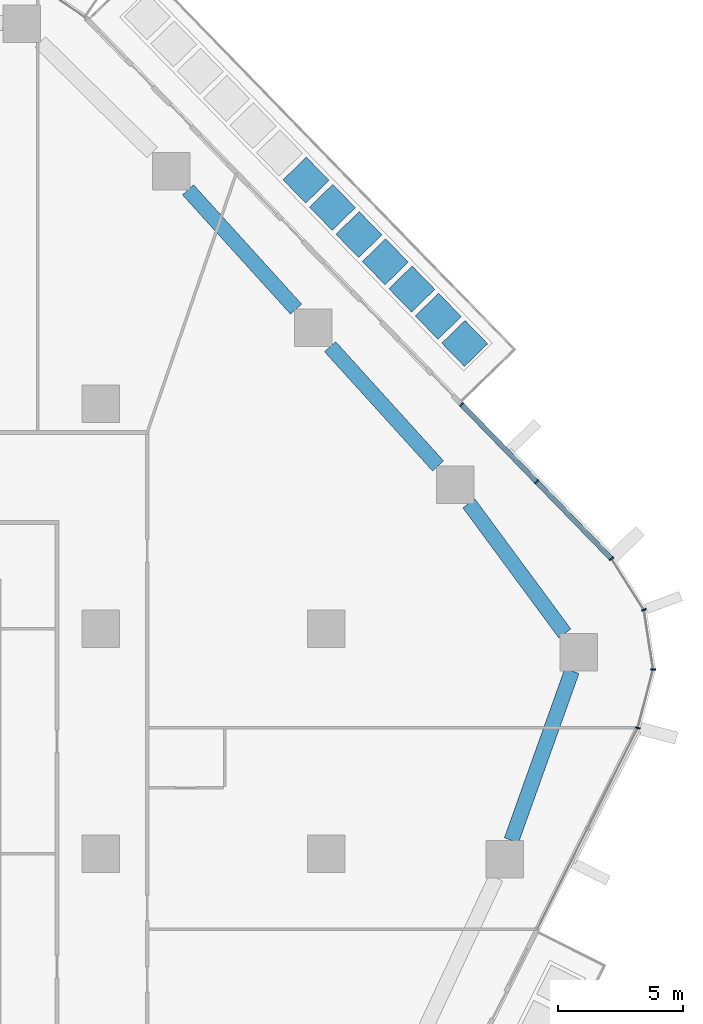
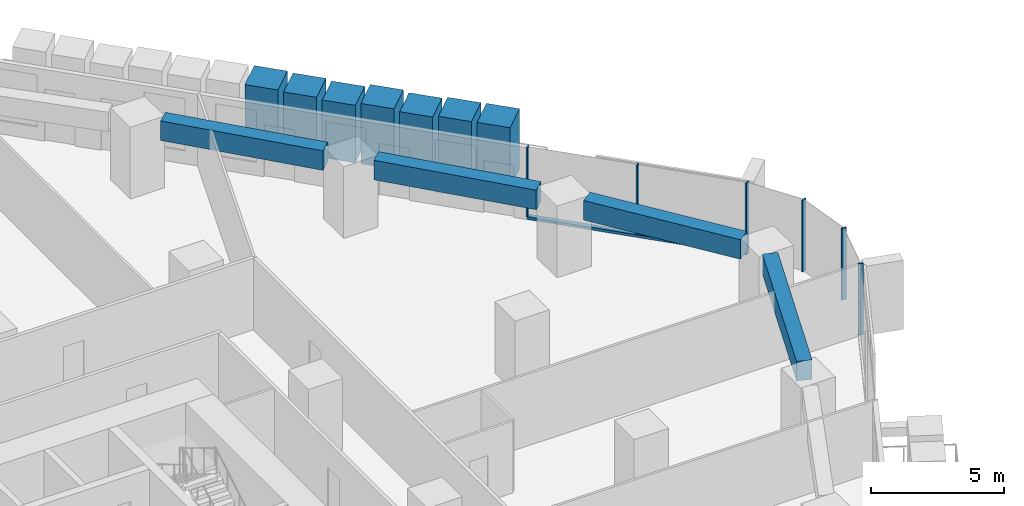
# One storey, part 8 of 26: 14 members, 4 beams, 2 elements without a shape of their own.
"""IFC4 building model written with IfcOpenShell, lengths in metres."""

from ifc_helpers import new_model, si_unit, direction, frame, origin, origin_2d, place, context, subcontext, project, spatial, rectangle, extrude, material, layer, layer_set, material_profile, profile_set, type_object, element, aggregate, save


model = new_model("IFC4")

# Units and contexts
model_context = context("Model", 3, precision=1e-05, world=origin(), true_north=direction((0.0, 1.0)))
body_context = subcontext(model_context, "Body", "Model", "MODEL_VIEW")
ifc_project = project(units=[si_unit("LENGTHUNIT", "METRE"), si_unit("AREAUNIT", "SQUARE_METRE"), si_unit("VOLUMEUNIT", "CUBIC_METRE"), si_unit("PLANEANGLEUNIT", "RADIAN"), si_unit("MASSUNIT", "GRAM", prefix="KILO")], contexts=[model_context])

# Site, building, storey
site_placement = place(None, origin())
site = spatial("IfcSite", under=ifc_project, at=site_placement, CompositionType="ELEMENT")
building_placement = place(site_placement, origin())
building = spatial("IfcBuilding", under=site, at=building_placement, Name="Dongbaek Canopy Tower", CompositionType="ELEMENT")
storey_placement = place(building_placement, frame((0.0, 0.0, 69.89990234375)))
storey = spatial("IfcBuildingStorey", under=building, at=storey_placement, Name="L13", CompositionType="ELEMENT", Elevation=69.89990234375)

# Curtain wall, members
ifc_material_1 = material(Name="Aluminium 6063-T6 pale anodised", Category="aluminium")
ifc_layer = layer(ifc_material_1, 0.199951171875)
ifc_layer_set = layer_set([ifc_layer], Name="CW-1 unitised tower curtain wall")
curtain_wall_type = type_object("IfcCurtainWallType", Name="CW-1 unitised tower curtain wall", PredefinedType="NOTDEFINED", material=ifc_layer_set)
curtain_wall_1_placement = place(storey_placement, origin())
curtain_wall_1 = element("IfcCurtainWall", 1, at=curtain_wall_1_placement, inside=storey, type_object=curtain_wall_type, Name="CW-1 curtain wall K0.1", PredefinedType="NOTDEFINED")
ifc_material_2 = material(Name="Aluminium 6063-T6 pale anodised", Category="aluminium")
ifc_material_profile_1 = material_profile(ifc_material_2, rectangle(XDim=0.199951171875, YDim=0.06005859375, at=origin_2d()), Name="CW-1 mullion 60 x 200")
ifc_profile_set_1 = profile_set([ifc_material_profile_1], Name="Aluminium 6063-T6 pale anodised")
member_type_1 = type_object("IfcMemberType", Name="CW-1 mullion 60 x 200", PredefinedType="MULLION", material=ifc_profile_set_1)
member_1_placement = place(storey_placement, frame((39.460693359375, 5.0390625, 0.0), z_axis=(0.0, 0.0, 1.0), x_axis=(0.967124445532, -0.254303572242, 0.0)))
member_1 = element("IfcMember", 2, at=member_1_placement, type_object=member_type_1, Name="CW-1 mullion K0.1.1", PredefinedType="MULLION", context=body_context, shape_type="SweptSolid", body=[
    extrude(rectangle(XDim=0.199951171875, YDim=0.06005859375, at=origin_2d()), origin(), (0.0, 0.0, 1.0), 3.300048828125),
])
member_2_placement = place(storey_placement, frame((40.07568359375, 7.37841796875, 0.0), z_axis=(0.0, 0.0, 1.0), x_axis=(0.99867447702, -0.051471243905, 0.0)))
member_2 = element("IfcMember", 3, at=member_2_placement, type_object=member_type_1, Name="CW-1 mullion K0.1.2", PredefinedType="MULLION", context=body_context, shape_type="SweptSolid", body=[
    extrude(rectangle(XDim=0.199951171875, YDim=0.06005859375, at=origin_2d()), origin(), (0.0, 0.0, 1.0), 3.300048828125),
])
member_3_placement = place(storey_placement, frame((39.7060546875, 9.758544921875, 0.0), z_axis=(0.0, 0.0, 1.0), x_axis=(0.935976740215, 0.352061843681, 0.0)))
member_3 = element("IfcMember", 4, at=member_3_placement, type_object=member_type_1, Name="CW-1 mullion K0.1.3", PredefinedType="MULLION", context=body_context, shape_type="SweptSolid", body=[
    extrude(rectangle(XDim=0.199951171875, YDim=0.06005859375, at=origin_2d()), origin(), (0.0, 0.0, 1.0), 3.300048828125),
])
member_4_placement = place(storey_placement, frame((38.409912109375, 11.801025390625, 0.0), z_axis=(0.0, 0.0, 1.0), x_axis=(0.844370826203, 0.535759188309, 0.0)))
member_4 = element("IfcMember", 5, at=member_4_placement, type_object=member_type_1, Name="CW-1 mullion K0.1.4", PredefinedType="MULLION", context=body_context, shape_type="SweptSolid", body=[
    extrude(rectangle(XDim=0.199951171875, YDim=0.06005859375, at=origin_2d()), origin(), (0.0, 0.0, 1.0), 3.300048828125),
])
aggregate(curtain_wall_1, [member_1, member_2, member_3, member_4])

curtain_wall_2_placement = place(storey_placement, origin())
curtain_wall_2 = element("IfcCurtainWall", 6, at=curtain_wall_2_placement, inside=storey, type_object=curtain_wall_type, Name="CW-1 curtain wall F0.1", PredefinedType="NOTDEFINED")
member_5_placement = place(storey_placement, frame((35.4169921875, 14.88134765625, 0.1201171875), z_axis=(0.0, 0.0, 1.0), x_axis=(0.717186200853, 0.696881592027, 0.0)))
member_5 = element("IfcMember", 7, at=member_5_placement, type_object=member_type_1, Name="CW-1 mullion F0.1.2", PredefinedType="MULLION", context=body_context, shape_type="SweptSolid", body=[
    extrude(rectangle(XDim=0.199951171875, YDim=0.06005859375, at=origin_2d()), origin(), (0.0, 0.0, 1.0), 3.179931640625),
])
member_6_placement = place(storey_placement, frame((32.41650390625, 17.968994140625, 0.1201171875), z_axis=(0.0, 0.0, 1.0), x_axis=(0.717186200853, 0.696881592027, 0.0)))
member_6 = element("IfcMember", 8, at=member_6_placement, type_object=member_type_1, Name="CW-1 mullion F0.1.3", PredefinedType="MULLION", context=body_context, shape_type="SweptSolid", body=[
    extrude(rectangle(XDim=0.199951171875, YDim=0.06005859375, at=origin_2d()), origin(), (0.0, 0.0, 1.0), 3.179931640625),
])
ifc_material_3 = material(Name="Aluminium 6063-T6 pale anodised", Category="aluminium")
ifc_material_profile_2 = material_profile(ifc_material_3, rectangle(XDim=0.199951171875, YDim=0.1201171875, at=origin_2d()), Name="CW-1 transom 120 x 200")
ifc_profile_set_2 = profile_set([ifc_material_profile_2], Name="Aluminium 6063-T6 pale anodised")
member_type_2 = type_object("IfcMemberType", Name="CW-1 transom 120 x 200", PredefinedType="USERDEFINED", material=ifc_profile_set_2)
member_7_placement = place(storey_placement, frame((38.409912109375, 11.801025390625, 0.06005859375), z_axis=(-0.696885409433, 0.717182491504, 0.0), x_axis=(-0.717182491504, -0.696885409433, 0.0)))
member_7 = element("IfcMember", 9, at=member_7_placement, type_object=member_type_2, Name="CW-1 transom F0.1.1", ObjectType="TRANSOM", PredefinedType="USERDEFINED", context=body_context, shape_type="SweptSolid", body=[
    extrude(rectangle(XDim=0.199951171875, YDim=0.1201171875, at=origin_2d()), origin(), (0.0, 0.0, 1.0), 8.600341796875),
])
aggregate(curtain_wall_2, [member_5, member_6, member_7])

# Beams
ifc_material_4 = material(Name="Concrete C80", Category="concrete")
ifc_material_profile_3 = material_profile(ifc_material_4, rectangle(XDim=0.60009765625, YDim=0.89990234375, at=origin_2d()), Name="RC EDGE BEAM 600x900 C80")
ifc_profile_set_3 = profile_set([ifc_material_profile_3], Name="Concrete C80")
beam_type = type_object("IfcBeamType", Name="RC EDGE BEAM 600x900 C80", PredefinedType="BEAM", material=ifc_profile_set_3)
beam_1_placement = place(storey_placement, frame((21.484375, 26.547119140625, 2.85009765625), z_axis=(0.671288874095, -0.741195822652, 0.0), x_axis=(0.741195822652, 0.671288874095, 0.0)))
element("IfcBeam", 10, at=beam_1_placement, inside=storey, type_object=beam_type, Name="EDGEBEAM:L13:18", PredefinedType="BEAM", context=body_context, shape_type="SweptSolid", body=[
    extrude(rectangle(XDim=0.60009765625, YDim=0.89990234375, at=origin_2d()), origin(), (0.0, 0.0, 1.0), 6.432861328125),
])
beam_2_placement = place(storey_placement, frame((27.1611328125, 20.279052734375, 2.85009765625), z_axis=(0.671226318279, -0.741252473621, 0.0), x_axis=(0.741252473621, 0.671226318279, 0.0)))
element("IfcBeam", 11, at=beam_2_placement, inside=storey, type_object=beam_type, Name="EDGEBEAM:L13:19", PredefinedType="BEAM", context=body_context, shape_type="SweptSolid", body=[
    extrude(rectangle(XDim=0.60009765625, YDim=0.89990234375, at=origin_2d()), origin(), (0.0, 0.0, 1.0), 6.432373046875),
])
beam_3_placement = place(storey_placement, frame((32.71142578125, 14.010986328125, 2.85009765625), z_axis=(0.593731643304, -0.804663119411, 0.0), x_axis=(0.804663119411, 0.593731643304, 0.0)))
element("IfcBeam", 12, at=beam_3_placement, inside=storey, type_object=beam_type, Name="EDGEBEAM:L13:20", PredefinedType="BEAM", context=body_context, shape_type="SweptSolid", body=[
    extrude(rectangle(XDim=0.60009765625, YDim=0.89990234375, at=origin_2d()), origin(), (0.0, 0.0, 1.0), 6.456298828125),
])
beam_4_placement = place(storey_placement, frame((36.830078125, 7.31591796875, 2.85009765625), z_axis=(-0.336456848831, -0.941698884397, 0.0), x_axis=(0.941698884397, -0.336456848831, 0.0)))
element("IfcBeam", 13, at=beam_4_placement, inside=storey, type_object=beam_type, Name="EDGEBEAM:L13:21", PredefinedType="BEAM", context=body_context, shape_type="SweptSolid", body=[
    extrude(rectangle(XDim=0.60009765625, YDim=0.89990234375, at=origin_2d()), origin(), (0.0, 0.0, 1.0), 7.190185546875),
])

# Members
ifc_material_5 = material(Name="Concrete C40/50 planter mass with planting", Category="concrete")
ifc_material_profile_4 = material_profile(ifc_material_5, rectangle(XDim=1.300048828125, YDim=1.300048828125, at=origin_2d()), Name="Terrace PLANTER shrub mass 1300 x 1300")
ifc_profile_set_4 = profile_set([ifc_material_profile_4], Name="Concrete C40/50 planter mass with planting")
member_type_3 = type_object("IfcMemberType", Name="Terrace PLANTER shrub mass 1300 x 1300", PredefinedType="USERDEFINED", material=ifc_profile_set_4)
member_8_placement = place(storey_placement, frame((32.54443359375, 20.406005859375, 0.420166015625), z_axis=(0.0, 0.0, 1.0), x_axis=(0.717186200853, 0.696881592027, 0.0)))
element("IfcMember", 14, at=member_8_placement, inside=storey, type_object=member_type_3, Name="Planter shrubs L13 1.1", ObjectType="PLANTER", PredefinedType="USERDEFINED", context=body_context, shape_type="SweptSolid", body=[
    extrude(rectangle(XDim=1.300048828125, YDim=1.300048828125, at=origin_2d()), origin(), (0.0, 0.0, 1.0), 2.780029296875),
])
member_9_placement = place(storey_placement, frame((31.487060546875, 21.494384765625, 0.420166015625), z_axis=(0.0, 0.0, 1.0), x_axis=(0.717186200853, 0.696881592027, 0.0)))
element("IfcMember", 15, at=member_9_placement, inside=storey, type_object=member_type_3, Name="Planter shrubs L13 1.2", ObjectType="PLANTER", PredefinedType="USERDEFINED", context=body_context, shape_type="SweptSolid", body=[
    extrude(rectangle(XDim=1.300048828125, YDim=1.300048828125, at=origin_2d()), origin(), (0.0, 0.0, 1.0), 2.77001953125),
])
member_10_placement = place(storey_placement, frame((30.429443359375, 22.58251953125, 0.420166015625), z_axis=(0.0, 0.0, 1.0), x_axis=(0.717186200853, 0.696881592027, 0.0)))
element("IfcMember", 16, at=member_10_placement, inside=storey, type_object=member_type_3, Name="Planter shrubs L13 1.3", ObjectType="PLANTER", PredefinedType="USERDEFINED", context=body_context, shape_type="SweptSolid", body=[
    extrude(rectangle(XDim=1.300048828125, YDim=1.300048828125, at=origin_2d()), origin(), (0.0, 0.0, 1.0), 2.68994140625),
])
member_11_placement = place(storey_placement, frame((29.3720703125, 23.6708984375, 0.420166015625), z_axis=(0.0, 0.0, 1.0), x_axis=(0.717186200853, 0.696881592027, 0.0)))
element("IfcMember", 17, at=member_11_placement, inside=storey, type_object=member_type_3, Name="Planter shrubs L13 1.4", ObjectType="PLANTER", PredefinedType="USERDEFINED", context=body_context, shape_type="SweptSolid", body=[
    extrude(rectangle(XDim=1.300048828125, YDim=1.300048828125, at=origin_2d()), origin(), (0.0, 0.0, 1.0), 2.780029296875),
])
member_12_placement = place(storey_placement, frame((28.314697265625, 24.759033203125, 0.420166015625), z_axis=(0.0, 0.0, 1.0), x_axis=(0.717186200853, 0.696881592027, 0.0)))
element("IfcMember", 18, at=member_12_placement, inside=storey, type_object=member_type_3, Name="Planter shrubs L13 1.5", ObjectType="PLANTER", PredefinedType="USERDEFINED", context=body_context, shape_type="SweptSolid", body=[
    extrude(rectangle(XDim=1.300048828125, YDim=1.300048828125, at=origin_2d()), origin(), (0.0, 0.0, 1.0), 2.64990234375),
])
member_13_placement = place(storey_placement, frame((27.257080078125, 25.847412109375, 0.420166015625), z_axis=(0.0, 0.0, 1.0), x_axis=(0.717186200853, 0.696881592027, 0.0)))
element("IfcMember", 19, at=member_13_placement, inside=storey, type_object=member_type_3, Name="Planter shrubs L13 1.6", ObjectType="PLANTER", PredefinedType="USERDEFINED", context=body_context, shape_type="SweptSolid", body=[
    extrude(rectangle(XDim=1.300048828125, YDim=1.300048828125, at=origin_2d()), origin(), (0.0, 0.0, 1.0), 2.72998046875),
])
member_14_placement = place(storey_placement, frame((26.19970703125, 26.935546875, 0.420166015625), z_axis=(0.0, 0.0, 1.0), x_axis=(0.717186200853, 0.696881592027, 0.0)))
element("IfcMember", 20, at=member_14_placement, inside=storey, type_object=member_type_3, Name="Planter shrubs L13 1.7", ObjectType="PLANTER", PredefinedType="USERDEFINED", context=body_context, shape_type="SweptSolid", body=[
    extrude(rectangle(XDim=1.300048828125, YDim=1.300048828125, at=origin_2d()), origin(), (0.0, 0.0, 1.0), 2.780029296875),
])

save(model, "model.ifc")
